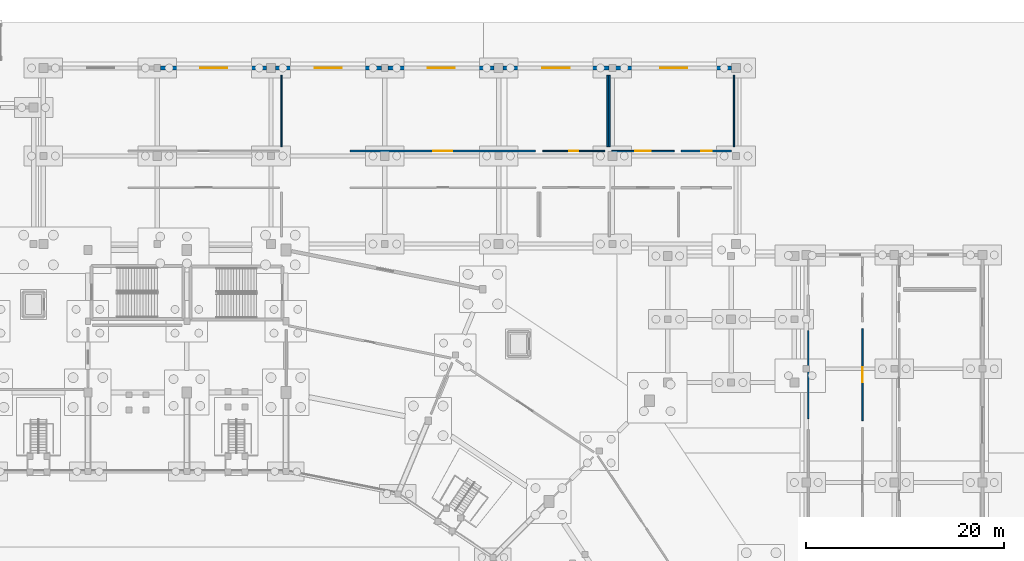
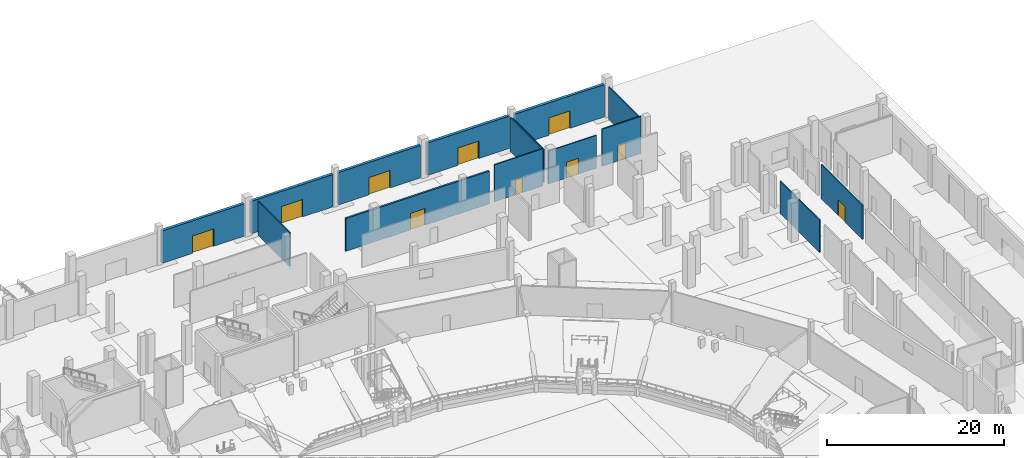
# One storey, part 41 of 68: 15 walls, 10 doors, 10 openings.
"""IFC4 building model written with IfcOpenShell, lengths in metres."""

from ifc_helpers import new_model, si_unit, direction, frame, frame_2d, origin, place, context, subcontext, project, spatial, rectangle, extrude, material, layer, layer_set, type_object, element, fill, save


model = new_model("IFC4")

# Units and contexts
model_context = context("Model", 3, precision=1e-05, world=origin(), true_north=direction((0.0, 1.0)))
body_context = subcontext(model_context, "Body", "Model", "MODEL_VIEW")
ifc_project = project(units=[si_unit("LENGTHUNIT", "METRE"), si_unit("AREAUNIT", "SQUARE_METRE"), si_unit("VOLUMEUNIT", "CUBIC_METRE"), si_unit("PLANEANGLEUNIT", "RADIAN"), si_unit("MASSUNIT", "GRAM", prefix="KILO")], contexts=[model_context])

# Site, building, storey
site_placement = place(None, origin())
site = spatial("IfcSite", under=ifc_project, at=site_placement, CompositionType="ELEMENT")
building_placement = place(site_placement, origin())
building = spatial("IfcBuilding", under=site, at=building_placement, Name="Candeia Ridge Stadium", CompositionType="ELEMENT")
storey_placement = place(building_placement, origin())
storey = spatial("IfcBuildingStorey", under=building, at=storey_placement, Name="L00", CompositionType="ELEMENT", Elevation=0.0)

# Wall
ifc_material_1 = material(Name="Gypsum Metal-Stud Partition", Category="gypsum")
ifc_layer_1 = layer(ifc_material_1, 0.14501953125, Name="Gypsum Metal-Stud Partition", Category="gypsum")
ifc_layer_set_1 = layer_set([ifc_layer_1], Name="Gypsum Metal-Stud Partition")
wall_type_1 = type_object("IfcWallType", Name="Athlete Recovery Partition 145", PredefinedType="PARTITIONING", material=ifc_layer_set_1)
wall_1_placement = place(storey_placement, frame((173.5, 164.64990234375, 0.0), z_axis=(0.0, 0.0, 1.0), x_axis=(0.0, -1.0, 0.0)))
element("IfcWall", 1, at=wall_1_placement, inside=storey, type_object=wall_type_1, Name="Demising partition PT-L00-0105", PredefinedType="PARTITIONING", context=body_context, shape_type="SweptSolid", body=[
    extrude(rectangle(XDim=7.199951171875, YDim=0.14501953125, at=frame_2d((3.60009765625, 0.0))), origin(), (0.0, 0.0, 1.0), 4.675048828125),
])

# Wall, opening, door
ifc_material_2 = material(Name="Gypsum Acoustic Twin-Stud Assembly", Category="gypsum")
ifc_layer_2 = layer(ifc_material_2, 0.159912109375, Name="Gypsum Acoustic Twin-Stud Assembly", Category="gypsum")
ifc_layer_set_2 = layer_set([ifc_layer_2], Name="Gypsum Acoustic Twin-Stud Assembly")
wall_type_2 = type_object("IfcWallType", Name="Club Dining Acoustic Partition 160", PredefinedType="PARTITIONING", material=ifc_layer_set_2)
wall_2_placement = place(storey_placement, frame((199.300048828125, 139.050048828125, 0.0), z_axis=(0.0, 0.0, 1.0), x_axis=(0.0, -1.0, 0.0)))
wall_2 = element("IfcWall", 2, at=wall_2_placement, inside=storey, type_object=wall_type_2, Name="Interior partition PT-L00-0041", PredefinedType="PARTITIONING", context=body_context, shape_type="SweptSolid", body=[
    extrude(rectangle(XDim=9.300048828125, YDim=0.159912109375, at=frame_2d((4.64990234375, 0.0))), origin(), (0.0, 0.0, 1.0), 4.715087890625),
])
opening_1_placement = place(wall_2_placement, frame((3.875, 0.0, 0.0)))
opening_1 = element("IfcOpeningElement", 3, at=opening_1_placement, cuts=wall_2, Name="Opening ID14", PredefinedType="OPENING", context=body_context, shape_type="SweptSolid", body=[
    extrude(rectangle(XDim=1.550048828125, YDim=2.14990234375, at=frame_2d((0.77490234375, 1.074951171875))), frame((0.0, 0.08984375, 0.0), z_axis=(0.0, -1.0, 0.0), x_axis=(1.0, 0.0, 0.0)), (0.0, 0.0, 1.0), 0.179931640625),
])
ifc_material_3 = material(Name="Brushed Stainless Steel", Category="steel")
door_type_1 = type_object("IfcDoorType", Name="Catering Kitchen Double Door 1550x2150", OperationType="NOTDEFINED", PredefinedType="DOOR", material=ifc_material_3)
door_1_placement = place(opening_1_placement, origin())
door_1 = element("IfcDoor", 4, at=door_1_placement, inside=storey, type_object=door_type_1, Name="Interior room door D-L00-0023", OperationType="DOUBLE_DOOR_SINGLE_SWING", OverallHeight=2.14990234375, OverallWidth=1.550048828125, PredefinedType="DOOR", context=body_context, shape_type="SweptSolid", body=[
    extrude(rectangle(XDim=1.550048828125, YDim=2.14990234375, at=frame_2d((0.77490234375, 1.074951171875))), frame((0.0, 0.02490234375, 0.0), z_axis=(0.0, -1.0, 0.0), x_axis=(1.0, 0.0, 0.0)), (0.0, 0.0, 1.0), 0.050048828125),
])
fill(opening_1, door_1)

ifc_material_4 = material(Name="Moisture-Resistant Masonry & Tile", Category="masonry")
ifc_layer_3 = layer(ifc_material_4, 0.22998046875, Name="Moisture-Resistant Masonry & Tile", Category="masonry")
ifc_layer_set_3 = layer_set([ifc_layer_3], Name="Moisture-Resistant Masonry & Tile")
wall_type_3 = type_object("IfcWallType", Name="Dressing Suite Wet-Wall Chase 230", PredefinedType="PLUMBINGWALL", material=ifc_layer_set_3)
wall_3_placement = place(storey_placement, frame((166.25, 157.0, 0.0), z_axis=(0.0, 0.0, 1.0), x_axis=(-1.0, 0.0, 0.0)))
wall_3 = element("IfcWall", 5, at=wall_3_placement, inside=storey, type_object=wall_type_3, Name="Interior partition PT-L00-0101", PredefinedType="PLUMBINGWALL", context=body_context, shape_type="SweptSolid", body=[
    extrude(rectangle(XDim=18.760009765625, YDim=0.22998046875, at=frame_2d((9.3798828125, 0.0))), origin(), (0.0, 0.0, 1.0), 4.52490234375),
])
opening_2_placement = place(wall_3_placement, frame((8.429931640625, 0.0, 0.0)))
opening_2 = element("IfcOpeningElement", 6, at=opening_2_placement, cuts=wall_3, Name="Opening ID10", PredefinedType="OPENING", context=body_context, shape_type="SweptSolid", body=[
    extrude(rectangle(XDim=1.89990234375, YDim=2.300048828125, at=frame_2d((0.949951171875, 1.14990234375))), frame((0.0, 0.125, 0.0), z_axis=(0.0, -1.0, 0.0), x_axis=(1.0, 0.0, 0.0)), (0.0, 0.0, 1.0), 0.25),
])
ifc_material_5 = material(Name="Timber Fire-Rated Acoustic", Category="wood")
door_type_2 = type_object("IfcDoorType", Name="Museum Exhibition Double Door 1900x2300", OperationType="NOTDEFINED", PredefinedType="DOOR", material=ifc_material_5)
door_2_placement = place(opening_2_placement, origin())
door_2 = element("IfcDoor", 7, at=door_2_placement, inside=storey, type_object=door_type_2, Name="Interior room door D-L00-0054", OperationType="DOUBLE_DOOR_SINGLE_SWING", OverallHeight=2.300048828125, OverallWidth=1.89990234375, PredefinedType="DOOR", context=body_context, shape_type="SweptSolid", body=[
    extrude(rectangle(XDim=1.89990234375, YDim=2.300048828125, at=frame_2d((0.949951171875, 1.14990234375))), frame((0.0, 0.02490234375, 0.0), z_axis=(0.0, -1.0, 0.0), x_axis=(1.0, 0.0, 0.0)), (0.0, 0.0, 1.0), 0.050048828125),
])
fill(opening_2, door_2)

ifc_material_6 = material(Name="Concrete C40/50", Category="concrete")
ifc_layer_4 = layer(ifc_material_6, 0.360107421875, Name="Concrete C40/50", Category="concrete")
ifc_layer_set_4 = layer_set([ifc_layer_4], Name="Concrete C40/50")
wall_type_4 = type_object("IfcWallType", Name="Exterior Basalt Plinth Wall 360", PredefinedType="SOLIDWALL", material=ifc_layer_set_4)
wall_4_placement = place(storey_placement, frame((128.337890625, 165.39990234375, 0.0), z_axis=(0.0, 0.0, 1.0), x_axis=(1.0, 0.0, 0.0)))
wall_4 = element("IfcWall", 8, at=wall_4_placement, inside=storey, type_object=wall_type_4, Name="Exterior facade wall EW-L00-0195", PredefinedType="SOLIDWALL", context=body_context, shape_type="SweptSolid", body=[
    extrude(rectangle(XDim=10.72412109375, YDim=0.360107421875, at=frame_2d((5.362060546875, 0.0))), origin(), (0.0, 0.0, 1.0), 4.47509765625),
])
opening_3_placement = place(wall_4_placement, frame((3.987060546875, 0.0, 0.0)))
opening_3 = element("IfcOpeningElement", 9, at=opening_3_placement, cuts=wall_4, Name="Opening ED01", PredefinedType="OPENING", context=body_context, shape_type="SweptSolid", body=[
    extrude(rectangle(XDim=2.75, YDim=2.39990234375, at=frame_2d((1.375, 1.199951171875))), frame((0.0, 0.18994140625, 0.0), z_axis=(0.0, -1.0, 0.0), x_axis=(1.0, 0.0, 0.0)), (0.0, 0.0, 1.0), 0.380126953125),
])
ifc_material_7 = material(Name="Aluminium Anodized Glazed Door", Category="aluminium")
door_type_3 = type_object("IfcDoorType", Name="Pedestrian Exit Double Door 2750x2400", OperationType="NOTDEFINED", PredefinedType="DOOR", material=ifc_material_7)
door_3_placement = place(opening_3_placement, origin())
door_3 = element("IfcDoor", 10, at=door_3_placement, inside=storey, type_object=door_type_3, Name="Pedestrian exit gate G36", OperationType="DOUBLE_DOOR_SINGLE_SWING", OverallHeight=2.39990234375, OverallWidth=2.75, PredefinedType="DOOR", context=body_context, shape_type="SweptSolid", body=[
    extrude(rectangle(XDim=2.75, YDim=2.39990234375, at=frame_2d((1.375, 1.199951171875))), frame((0.0, 0.02490234375, 0.0), z_axis=(0.0, -1.0, 0.0), x_axis=(1.0, 0.0, 0.0)), (0.0, 0.0, 1.0), 0.050048828125),
])
fill(opening_3, door_3)

wall_5_placement = place(storey_placement, frame((139.93798828125, 165.39990234375, 0.0), z_axis=(0.0, 0.0, 1.0), x_axis=(1.0, 0.0, 0.0)))
wall_5 = element("IfcWall", 11, at=wall_5_placement, inside=storey, type_object=wall_type_4, Name="Exterior facade wall EW-L00-0196", PredefinedType="SOLIDWALL", context=body_context, shape_type="SweptSolid", body=[
    extrude(rectangle(XDim=10.72412109375, YDim=0.360107421875, at=frame_2d((5.362060546875, 0.0))), origin(), (0.0, 0.0, 1.0), 4.47509765625),
])
opening_4_placement = place(wall_5_placement, frame((3.987060546875, 0.0, 0.0)))
opening_4 = element("IfcOpeningElement", 12, at=opening_4_placement, cuts=wall_5, Name="Opening ED01", PredefinedType="OPENING", context=body_context, shape_type="SweptSolid", body=[
    extrude(rectangle(XDim=2.75, YDim=2.39990234375, at=frame_2d((1.375, 1.199951171875))), frame((0.0, 0.18994140625, 0.0), z_axis=(0.0, -1.0, 0.0), x_axis=(1.0, 0.0, 0.0)), (0.0, 0.0, 1.0), 0.380126953125),
])
door_4_placement = place(opening_4_placement, origin())
door_4 = element("IfcDoor", 13, at=door_4_placement, inside=storey, type_object=door_type_3, Name="Pedestrian exit gate G37", OperationType="DOUBLE_DOOR_SINGLE_SWING", OverallHeight=2.39990234375, OverallWidth=2.75, PredefinedType="DOOR", context=body_context, shape_type="SweptSolid", body=[
    extrude(rectangle(XDim=2.75, YDim=2.39990234375, at=frame_2d((1.375, 1.199951171875))), frame((0.0, 0.02490234375, 0.0), z_axis=(0.0, -1.0, 0.0), x_axis=(1.0, 0.0, 0.0)), (0.0, 0.0, 1.0), 0.050048828125),
])
fill(opening_4, door_4)

wall_6_placement = place(storey_placement, frame((151.337890625, 165.39990234375, 0.0), z_axis=(0.0, 0.0, 1.0), x_axis=(1.0, 0.0, 0.0)))
wall_6 = element("IfcWall", 14, at=wall_6_placement, inside=storey, type_object=wall_type_4, Name="Exterior facade wall EW-L00-0197", PredefinedType="SOLIDWALL", context=body_context, shape_type="SweptSolid", body=[
    extrude(rectangle(XDim=10.72412109375, YDim=0.360107421875, at=frame_2d((5.362060546875, 0.0))), origin(), (0.0, 0.0, 1.0), 4.47509765625),
])
opening_5_placement = place(wall_6_placement, frame((3.987060546875, 0.0, 0.0)))
opening_5 = element("IfcOpeningElement", 15, at=opening_5_placement, cuts=wall_6, Name="Opening ED01", PredefinedType="OPENING", context=body_context, shape_type="SweptSolid", body=[
    extrude(rectangle(XDim=2.75, YDim=2.39990234375, at=frame_2d((1.375, 1.199951171875))), frame((0.0, 0.18994140625, 0.0), z_axis=(0.0, -1.0, 0.0), x_axis=(1.0, 0.0, 0.0)), (0.0, 0.0, 1.0), 0.380126953125),
])
door_5_placement = place(opening_5_placement, origin())
door_5 = element("IfcDoor", 16, at=door_5_placement, inside=storey, type_object=door_type_3, Name="Pedestrian exit gate G38", OperationType="DOUBLE_DOOR_SINGLE_SWING", OverallHeight=2.39990234375, OverallWidth=2.75, PredefinedType="DOOR", context=body_context, shape_type="SweptSolid", body=[
    extrude(rectangle(XDim=2.75, YDim=2.39990234375, at=frame_2d((1.375, 1.199951171875))), frame((0.0, 0.02490234375, 0.0), z_axis=(0.0, -1.0, 0.0), x_axis=(1.0, 0.0, 0.0)), (0.0, 0.0, 1.0), 0.050048828125),
])
fill(opening_5, door_5)

wall_7_placement = place(storey_placement, frame((162.93798828125, 165.39990234375, 0.0), z_axis=(0.0, 0.0, 1.0), x_axis=(1.0, 0.0, 0.0)))
wall_7 = element("IfcWall", 17, at=wall_7_placement, inside=storey, type_object=wall_type_4, Name="Exterior facade wall EW-L00-0198", PredefinedType="SOLIDWALL", context=body_context, shape_type="SweptSolid", body=[
    extrude(rectangle(XDim=10.72412109375, YDim=0.360107421875, at=frame_2d((5.362060546875, 0.0))), origin(), (0.0, 0.0, 1.0), 4.47509765625),
])
opening_6_placement = place(wall_7_placement, frame((3.987060546875, 0.0, 0.0)))
opening_6 = element("IfcOpeningElement", 18, at=opening_6_placement, cuts=wall_7, Name="Opening ED01", PredefinedType="OPENING", context=body_context, shape_type="SweptSolid", body=[
    extrude(rectangle(XDim=2.75, YDim=2.39990234375, at=frame_2d((1.375, 1.199951171875))), frame((0.0, 0.18994140625, 0.0), z_axis=(0.0, -1.0, 0.0), x_axis=(1.0, 0.0, 0.0)), (0.0, 0.0, 1.0), 0.380126953125),
])
door_6_placement = place(opening_6_placement, origin())
door_6 = element("IfcDoor", 19, at=door_6_placement, inside=storey, type_object=door_type_3, Name="Pedestrian exit gate G39", OperationType="DOUBLE_DOOR_SINGLE_SWING", OverallHeight=2.39990234375, OverallWidth=2.75, PredefinedType="DOOR", context=body_context, shape_type="SweptSolid", body=[
    extrude(rectangle(XDim=2.75, YDim=2.39990234375, at=frame_2d((1.375, 1.199951171875))), frame((0.0, 0.02490234375, 0.0), z_axis=(0.0, -1.0, 0.0), x_axis=(1.0, 0.0, 0.0)), (0.0, 0.0, 1.0), 0.050048828125),
])
fill(opening_6, door_6)

wall_8_placement = place(storey_placement, frame((174.337890625, 165.39990234375, 0.0), z_axis=(0.0, 0.0, 1.0), x_axis=(1.0, 0.0, 0.0)))
wall_8 = element("IfcWall", 20, at=wall_8_placement, inside=storey, type_object=wall_type_4, Name="Exterior facade wall EW-L00-0199", PredefinedType="SOLIDWALL", context=body_context, shape_type="SweptSolid", body=[
    extrude(rectangle(XDim=11.72412109375, YDim=0.360107421875, at=frame_2d((5.862060546875, 0.0))), origin(), (0.0, 0.0, 1.0), 4.47509765625),
])
opening_7_placement = place(wall_8_placement, frame((4.487060546875, 0.0, 0.0)))
opening_7 = element("IfcOpeningElement", 21, at=opening_7_placement, cuts=wall_8, Name="Opening ED01", PredefinedType="OPENING", context=body_context, shape_type="SweptSolid", body=[
    extrude(rectangle(XDim=2.75, YDim=2.39990234375, at=frame_2d((1.375, 1.199951171875))), frame((0.0, 0.18994140625, 0.0), z_axis=(0.0, -1.0, 0.0), x_axis=(1.0, 0.0, 0.0)), (0.0, 0.0, 1.0), 0.380126953125),
])
door_7_placement = place(opening_7_placement, origin())
door_7 = element("IfcDoor", 22, at=door_7_placement, inside=storey, type_object=door_type_3, Name="Pedestrian exit gate G40", OperationType="DOUBLE_DOOR_SINGLE_SWING", OverallHeight=2.39990234375, OverallWidth=2.75, PredefinedType="DOOR", context=body_context, shape_type="SweptSolid", body=[
    extrude(rectangle(XDim=2.75, YDim=2.39990234375, at=frame_2d((1.375, 1.199951171875))), frame((0.0, 0.02490234375, 0.0), z_axis=(0.0, -1.0, 0.0), x_axis=(1.0, 0.0, 0.0)), (0.0, 0.0, 1.0), 0.050048828125),
])
fill(opening_7, door_7)

# Walls
ifc_layer_5 = layer(ifc_material_1, 0.135009765625, Name="Gypsum Metal-Stud Partition", Category="gypsum")
ifc_layer_set_5 = layer_set([ifc_layer_5], Name="Gypsum Metal-Stud Partition")
wall_type_5 = type_object("IfcWallType", Name="General Room Partition 135", PredefinedType="PARTITIONING", material=ifc_layer_set_5)
wall_9_placement = place(storey_placement, frame((193.800048828125, 129.949951171875, 0.0), z_axis=(0.0, 0.0, 1.0), x_axis=(0.0, 1.0, 0.0)))
element("IfcWall", 23, at=wall_9_placement, inside=storey, type_object=wall_type_5, Name="Demising partition PT-L00-0042", PredefinedType="PARTITIONING", context=body_context, shape_type="SweptSolid", body=[
    extrude(rectangle(XDim=8.900146484375, YDim=0.135009765625, at=frame_2d((4.4501953125, 0.0))), origin(), (0.0, 0.0, 1.0), 4.47509765625),
])
wall_10_placement = place(storey_placement, frame((140.56005859375, 164.64990234375, 0.0), z_axis=(0.0, 0.0, 1.0), x_axis=(0.0, -1.0, 0.0)))
element("IfcWall", 24, at=wall_10_placement, inside=storey, type_object=wall_type_5, Name="Demising partition PT-L00-0098", PredefinedType="PARTITIONING", context=body_context, shape_type="SweptSolid", body=[
    extrude(rectangle(XDim=7.199951171875, YDim=0.135009765625, at=frame_2d((3.60009765625, 0.0))), origin(), (0.0, 0.0, 1.0), 4.675048828125),
])

# Wall, opening, door
wall_11_placement = place(storey_placement, frame((180.25, 157.0, 0.0), z_axis=(0.0, 0.0, 1.0), x_axis=(-1.0, 0.0, 0.0)))
wall_11 = element("IfcWall", 25, at=wall_11_placement, inside=storey, type_object=wall_type_5, Name="Interior partition PT-L00-0108", PredefinedType="PARTITIONING", context=body_context, shape_type="SweptSolid", body=[
    extrude(rectangle(XDim=6.300048828125, YDim=0.135009765625, at=frame_2d((3.14990234375, 0.0))), origin(), (0.0, 0.0, 1.0), 4.52490234375),
])
opening_8_placement = place(wall_11_placement, frame((2.35009765625, 0.0, 0.0)))
opening_8 = element("IfcOpeningElement", 26, at=opening_8_placement, cuts=wall_11, Name="Opening ID03", PredefinedType="OPENING", context=body_context, shape_type="SweptSolid", body=[
    extrude(rectangle(XDim=1.60009765625, YDim=2.199951171875, at=frame_2d((0.800048828125, 1.10009765625))), frame((0.0, 0.077392578125, 0.0), z_axis=(0.0, -1.0, 0.0), x_axis=(1.0, 0.0, 0.0)), (0.0, 0.0, 1.0), 0.155029296875),
])
ifc_material_8 = material(Name="Solid Core Hardwood Veneer", Category="wood")
door_type_4 = type_object("IfcDoorType", Name="Athlete Dressing Double Door 1600x2200", OperationType="NOTDEFINED", PredefinedType="DOOR", material=ifc_material_8)
door_8_placement = place(opening_8_placement, origin())
door_8 = element("IfcDoor", 27, at=door_8_placement, inside=storey, type_object=door_type_4, Name="Interior room door D-L00-0058", OperationType="DOUBLE_DOOR_SINGLE_SWING", OverallHeight=2.199951171875, OverallWidth=1.60009765625, PredefinedType="DOOR", context=body_context, shape_type="SweptSolid", body=[
    extrude(rectangle(XDim=1.60009765625, YDim=2.199951171875, at=frame_2d((0.800048828125, 1.10009765625))), frame((0.0, 0.02490234375, 0.0), z_axis=(0.0, -1.0, 0.0), x_axis=(1.0, 0.0, 0.0)), (0.0, 0.0, 1.0), 0.050048828125),
])
fill(opening_8, door_8)

# Wall
ifc_layer_6 = layer(ifc_material_2, 0.1650390625, Name="Gypsum Acoustic Twin-Stud Assembly", Category="gypsum")
ifc_layer_set_6 = layer_set([ifc_layer_6], Name="Gypsum Acoustic Twin-Stud Assembly")
wall_type_6 = type_object("IfcWallType", Name="Hospitality Suite Acoustic Wall 165", PredefinedType="PARTITIONING", material=ifc_layer_set_6)
wall_12_placement = place(storey_placement, frame((173.699951171875, 157.449951171875, 0.0), z_axis=(0.0, 0.0, 1.0), x_axis=(0.0, 1.0, 0.0)))
element("IfcWall", 28, at=wall_12_placement, inside=storey, type_object=wall_type_6, Name="Demising partition PT-L00-0109", PredefinedType="PARTITIONING", context=body_context, shape_type="SweptSolid", body=[
    extrude(rectangle(XDim=7.199951171875, YDim=0.1650390625, at=frame_2d((3.60009765625, 0.0))), origin(), (0.0, 0.0, 1.0), 4.52490234375),
])

# Wall, opening, door
ifc_layer_7 = layer(ifc_material_2, 0.169921875, Name="Gypsum Acoustic Twin-Stud Assembly", Category="gypsum")
ifc_layer_set_7 = layer_set([ifc_layer_7], Name="Gypsum Acoustic Twin-Stud Assembly")
wall_type_7 = type_object("IfcWallType", Name="Skybox Demising Acoustic Wall 170", PredefinedType="PARTITIONING", material=ifc_layer_set_7)
wall_13_placement = place(storey_placement, frame((186.050048828125, 157.0, 0.0), z_axis=(0.0, 0.0, 1.0), x_axis=(-1.0, 0.0, 0.0)))
wall_13 = element("IfcWall", 29, at=wall_13_placement, inside=storey, type_object=wall_type_7, Name="Interior partition PT-L00-0112", PredefinedType="PARTITIONING", context=body_context, shape_type="SweptSolid", body=[
    extrude(rectangle(XDim=5.10009765625, YDim=0.169921875, at=frame_2d((2.550048828125, 0.0))), origin(), (0.0, 0.0, 1.0), 5.1201171875),
])
opening_9_placement = place(wall_13_placement, frame((2.02490234375, 0.0, 0.0)))
opening_9 = element("IfcOpeningElement", 30, at=opening_9_placement, cuts=wall_13, Name="Opening ID01", PredefinedType="OPENING", context=body_context, shape_type="SweptSolid", body=[
    extrude(rectangle(XDim=1.050048828125, YDim=2.199951171875, at=frame_2d((0.52490234375, 1.10009765625))), frame((0.0, 0.094970703125, 0.0), z_axis=(0.0, -1.0, 0.0), x_axis=(1.0, 0.0, 0.0)), (0.0, 0.0, 1.0), 0.18994140625),
])
ifc_material_9 = material(Name="Western Red Cedar Acoustic Veneer", Category="wood")
door_type_5 = type_object("IfcDoorType", Name="Hospitality Suite Entrance Door 1050x2200", OperationType="NOTDEFINED", PredefinedType="DOOR", material=ifc_material_9)
door_9_placement = place(opening_9_placement, origin())
door_9 = element("IfcDoor", 31, at=door_9_placement, inside=storey, type_object=door_type_5, Name="Interior room door D-L00-0060", OperationType="SINGLE_SWING_LEFT", OverallHeight=2.199951171875, OverallWidth=1.050048828125, PredefinedType="DOOR", context=body_context, shape_type="SweptSolid", body=[
    extrude(rectangle(XDim=1.050048828125, YDim=2.199951171875, at=frame_2d((0.52490234375, 1.10009765625))), frame((0.0, 0.02490234375, 0.0), z_axis=(0.0, -1.0, 0.0), x_axis=(1.0, 0.0, 0.0)), (0.0, 0.0, 1.0), 0.050048828125),
])
fill(opening_9, door_9)

# Wall
ifc_layer_8 = layer(ifc_material_1, 0.1201171875, Name="Gypsum Metal-Stud Partition", Category="gypsum")
ifc_layer_set_8 = layer_set([ifc_layer_8], Name="Gypsum Metal-Stud Partition")
wall_type_8 = type_object("IfcWallType", Name="Suite Internal Divider 120", PredefinedType="PARTITIONING", material=ifc_layer_set_8)
wall_14_placement = place(storey_placement, frame((186.300048828125, 164.64990234375, 0.0), z_axis=(0.0, 0.0, 1.0), x_axis=(0.0, -1.0, 0.0)))
element("IfcWall", 32, at=wall_14_placement, inside=storey, type_object=wall_type_8, Name="Demising partition PT-L00-0113", PredefinedType="PARTITIONING", context=body_context, shape_type="SweptSolid", body=[
    extrude(rectangle(XDim=7.199951171875, YDim=0.1201171875, at=frame_2d((3.60009765625, 0.0))), origin(), (0.0, 0.0, 1.0), 4.47509765625),
])

# Wall, opening, door
ifc_layer_9 = layer(ifc_material_1, 0.1298828125, Name="Gypsum Metal-Stud Partition", Category="gypsum")
ifc_layer_set_9 = layer_set([ifc_layer_9], Name="Gypsum Metal-Stud Partition")
wall_type_9 = type_object("IfcWallType", Name="Ticketing Back-Office Partition 130", PredefinedType="PARTITIONING", material=ifc_layer_set_9)
wall_15_placement = place(storey_placement, frame((173.25, 157.0, 0.0), z_axis=(0.0, 0.0, 1.0), x_axis=(-1.0, 0.0, 0.0)))
wall_15 = element("IfcWall", 33, at=wall_15_placement, inside=storey, type_object=wall_type_9, Name="Interior partition PT-L00-0104", PredefinedType="PARTITIONING", context=body_context, shape_type="SweptSolid", body=[
    extrude(rectangle(XDim=6.300048828125, YDim=0.1298828125, at=frame_2d((3.14990234375, 0.0))), origin(), (0.0, 0.0, 1.0), 5.1201171875),
])
opening_10_placement = place(wall_15_placement, frame((2.68994140625, 0.0, 0.0)))
opening_10 = element("IfcOpeningElement", 34, at=opening_10_placement, cuts=wall_15, Name="Opening ID15", PredefinedType="OPENING", context=body_context, shape_type="SweptSolid", body=[
    extrude(rectangle(XDim=0.919921875, YDim=2.10009765625, at=frame_2d((0.4599609375, 1.050048828125))), frame((0.0, 0.074951171875, 0.0), z_axis=(0.0, -1.0, 0.0), x_axis=(1.0, 0.0, 0.0)), (0.0, 0.0, 1.0), 0.14990234375),
])
ifc_material_10 = material(Name="Powder-Coated Hollow Metal", Category="steel")
door_type_6 = type_object("IfcDoorType", Name="Concourse Store Single Door 920x2100", OperationType="NOTDEFINED", PredefinedType="DOOR", material=ifc_material_10)
door_10_placement = place(opening_10_placement, origin())
door_10 = element("IfcDoor", 35, at=door_10_placement, inside=storey, type_object=door_type_6, Name="Interior room door D-L00-0056", OperationType="SINGLE_SWING_RIGHT", OverallHeight=2.10009765625, OverallWidth=0.919921875, PredefinedType="DOOR", context=body_context, shape_type="SweptSolid", body=[
    extrude(rectangle(XDim=0.919921875, YDim=2.10009765625, at=frame_2d((0.4599609375, 1.050048828125))), frame((0.0, 0.02490234375, 0.0), z_axis=(0.0, -1.0, 0.0), x_axis=(1.0, 0.0, 0.0)), (0.0, 0.0, 1.0), 0.050048828125),
])
fill(opening_10, door_10)

save(model, "model.ifc")
